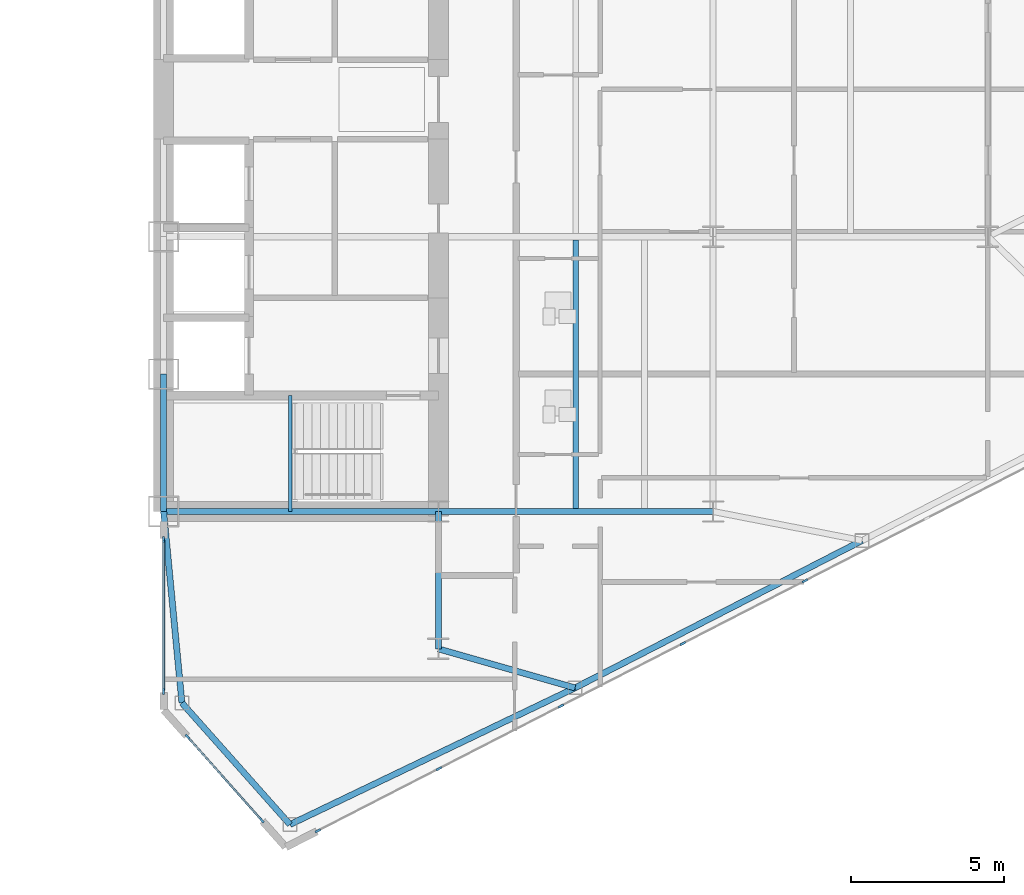
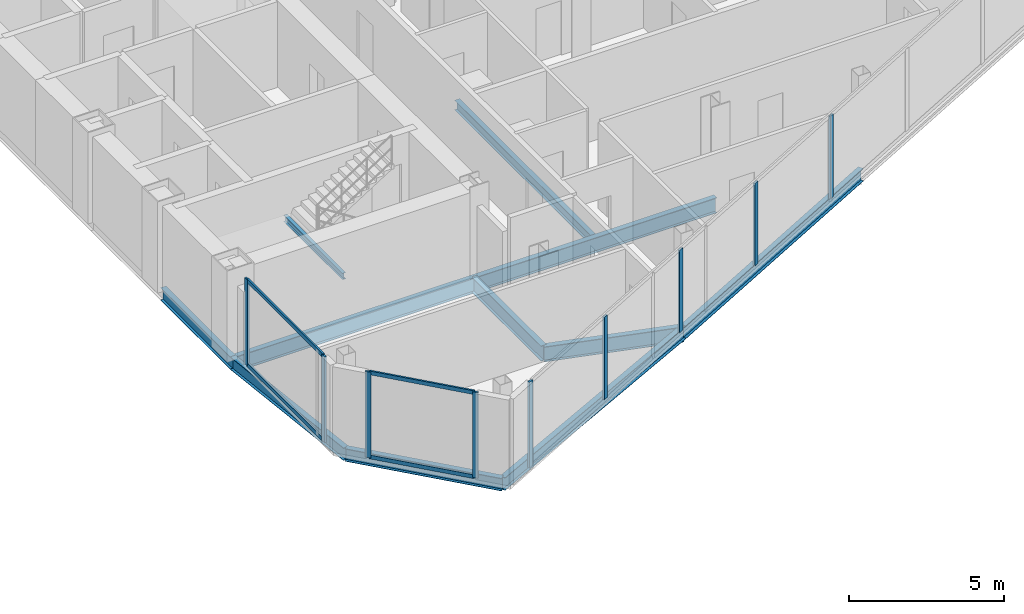
# One storey, part 8 of 23: 13 members, 11 beams, 3 elements without a shape of their own.
"""IFC4 building model written with IfcOpenShell, lengths in metres."""

from ifc_helpers import new_model, si_unit, direction, frame, origin, origin_2d, place, context, subcontext, project, spatial, rectangle, i_section, extrude, source, transform, mapped, material, layer, layer_set, material_profile, profile_set, type_object, type_shapes, element, aggregate, save


model = new_model("IFC4")

# Units and contexts
model_context = context("Model", 3, precision=1e-05, world=origin(), true_north=direction((0.0, 1.0)))
body_context = subcontext(model_context, "Body", "Model", "MODEL_VIEW")
ifc_project = project(units=[si_unit("LENGTHUNIT", "METRE"), si_unit("AREAUNIT", "SQUARE_METRE"), si_unit("VOLUMEUNIT", "CUBIC_METRE"), si_unit("PLANEANGLEUNIT", "RADIAN"), si_unit("MASSUNIT", "GRAM", prefix="KILO")], contexts=[model_context])

# Site, building, storey
site_placement = place(None, origin())
site = spatial("IfcSite", under=ifc_project, at=site_placement, CompositionType="ELEMENT")
building_placement = place(site_placement, origin())
building = spatial("IfcBuilding", under=site, at=building_placement, Name="Seokmaru Belvedere", CompositionType="ELEMENT")
storey_placement = place(building_placement, frame((0.0, 0.0, 128.39990234375)))
storey = spatial("IfcBuildingStorey", under=building, at=storey_placement, Name="L34", CompositionType="ELEMENT", Elevation=128.39990234375)

# Beams
ifc_material_1 = material(Name="Steel SM355 (355 MPa)", Category="steel")
ifc_material_profile_1 = material_profile(ifc_material_1, i_section(OverallWidth=0.199951171875, OverallDepth=0.5, WebThickness=0.010009765625, FlangeThickness=0.01611328125, at=origin_2d()), Name="H-500x200x10x16")
ifc_profile_set_1 = profile_set([ifc_material_profile_1], Name="Steel SM355 (355 MPa)")
beam_type_1 = type_object("IfcBeamType", Name="Perimeter Spandrel Beam H-500", PredefinedType="SPANDREL", material=ifc_profile_set_1)
shared_shape_1 = source(origin(), body_context, "Body", "SweptSolid", [
    extrude(i_section(OverallWidth=0.199951171875, OverallDepth=0.5, WebThickness=0.010009765625, FlangeThickness=0.01611328125, at=origin_2d()), origin(), (0.0, 0.0, 1.0), 4.5),
])
beam_1_placement = place(storey_placement, frame((27.5, -13.5, -0.469970703125), z_axis=(0.0, 1.0, 0.0), x_axis=(-1.0, 0.0, 0.0)))
element("IfcBeam", 1, at=beam_1_placement, inside=storey, type_object=beam_type_1, Name="L34 E Portal Spine Spandrel 1", PredefinedType="SPANDREL", context=body_context, shape_type="MappedRepresentation", body=[
    mapped(shared_shape_1, transform((0.0, 0.0, 0.0), scale=1.0)),
])
ifc_material_profile_2 = material_profile(ifc_material_1, i_section(OverallWidth=0.199951171875, OverallDepth=0.60009765625, WebThickness=0.010986328125, FlangeThickness=0.01708984375, at=origin_2d()), Name="H-600x200x11x17")
ifc_profile_set_2 = profile_set([ifc_material_profile_2], Name="Steel SM355 (355 MPa)")
beam_type_2 = type_object("IfcBeamType", Name="Primary Floor Girder H-600", PredefinedType="BEAM", material=ifc_profile_set_2)
shared_shape_2 = source(origin(), body_context, "Body", "SweptSolid", [
    extrude(i_section(OverallWidth=0.199951171875, OverallDepth=0.60009765625, WebThickness=0.010986328125, FlangeThickness=0.01708984375, at=origin_2d()), origin(), (0.0, 0.0, 1.0), 9.0),
])
for number, where, z_axis, x_axis, name in (
    (2, (27.5, -13.5, -0.52001953125), (1.0, 0.0, 0.0), (0.0, 1.0, 0.0), "L34 E Core Tie Girder 1"),
    (3, (36.5, -13.5, -0.52001953125), (1.0, 0.0, 0.0), (0.0, 1.0, 0.0), "L34 E Wing Primary Girder 1"),
):
    element("IfcBeam", number, at=place(storey_placement, frame(where, z_axis=z_axis, x_axis=x_axis)), inside=storey, type_object=beam_type_2, Name=name, PredefinedType="BEAM", context=body_context, shape_type="MappedRepresentation", body=[
        mapped(shared_shape_2, transform((0.0, 0.0, 0.0), scale=1.0)),
    ])
ifc_material_profile_3 = material_profile(ifc_material_1, i_section(OverallWidth=0.18505859375, OverallDepth=0.389892578125, WebThickness=0.008056640625, FlangeThickness=0.011962890625, at=origin_2d()), Name="H-390x185x8x12")
ifc_profile_set_3 = profile_set([ifc_material_profile_3], Name="Steel SM355 (355 MPa)")
beam_type_3 = type_object("IfcBeamType", Name="Secondary Floor Joist H-350", PredefinedType="JOIST", material=ifc_profile_set_3)
shared_shape_3 = source(origin(), body_context, "Body", "SweptSolid", [
    extrude(i_section(OverallWidth=0.18505859375, OverallDepth=0.389892578125, WebThickness=0.008056640625, FlangeThickness=0.011962890625, at=origin_2d()), origin(), (0.0, 0.0, 1.0), 8.7900390625),
])
type_shapes(beam_type_3, [shared_shape_3])
beam_2_placement = place(storey_placement, frame((41.0, -13.39501953125, -0.414794921875), z_axis=(0.0, 1.0, 0.0), x_axis=(-1.0, 0.0, 0.0)))
element("IfcBeam", 4, at=beam_2_placement, inside=storey, type_object=beam_type_3, Name="L34 E Secondary Floor Joist 1", PredefinedType="JOIST", context=body_context, shape_type="MappedRepresentation", body=[
    mapped(shared_shape_3, transform((0.0, 0.0, 0.0), scale=1.0)),
])
shared_shape_4 = source(origin(), body_context, "Body", "SweptSolid", [
    extrude(i_section(OverallWidth=0.199951171875, OverallDepth=0.60009765625, WebThickness=0.010986328125, FlangeThickness=0.01708984375, at=origin_2d()), origin(), (0.0, 0.0, 1.0), 4.5),
])
beam_3_placement = place(storey_placement, frame((36.5, -18.0, -0.52001953125), z_axis=(0.0, 1.0, 0.0), x_axis=(-1.0, 0.0, 0.0)))
element("IfcBeam", 5, at=beam_3_placement, inside=storey, type_object=beam_type_2, Name="L34 E Core Shoulder Girder S", PredefinedType="BEAM", context=body_context, shape_type="MappedRepresentation", body=[
    mapped(shared_shape_4, transform((0.0, 0.0, 0.0), scale=1.0)),
])
shared_shape_5 = source(origin(), body_context, "Body", "SweptSolid", [
    extrude(i_section(OverallWidth=0.199951171875, OverallDepth=0.5, WebThickness=0.010009765625, FlangeThickness=0.01611328125, at=origin_2d()), origin(), (0.0, 0.0, 1.0), 10.353759765625),
])
beam_4_placement = place(storey_placement, frame((31.6396484375, -23.75390625, -0.469970703125), z_axis=(0.901713202822, 0.432334708134, 0.0), x_axis=(-0.432334708134, 0.901713202822, 0.0)))
element("IfcBeam", 6, at=beam_4_placement, inside=storey, type_object=beam_type_1, Name="L34 E Faceted Flank Spandrel S-1", PredefinedType="SPANDREL", context=body_context, shape_type="MappedRepresentation", body=[
    mapped(shared_shape_5, transform((0.0, 0.0, 0.0), scale=1.0)),
])
shared_shape_6 = source(origin(), body_context, "Body", "SweptSolid", [
    extrude(i_section(OverallWidth=0.199951171875, OverallDepth=0.5, WebThickness=0.010009765625, FlangeThickness=0.01611328125, at=origin_2d()), origin(), (0.0, 0.0, 1.0), 10.56689453125),
])
beam_5_placement = place(storey_placement, frame((40.975830078125, -19.277587890625, -0.469970703125), z_axis=(0.889701972758, 0.45654178305, 0.0), x_axis=(-0.45654178305, 0.889701972758, 0.0)))
element("IfcBeam", 7, at=beam_5_placement, inside=storey, type_object=beam_type_1, Name="L34 E Faceted Flank Spandrel S-2", PredefinedType="SPANDREL", context=body_context, shape_type="MappedRepresentation", body=[
    mapped(shared_shape_6, transform((0.0, 0.0, 0.0), scale=1.0)),
])
shared_shape_7 = source(origin(), body_context, "Body", "SweptSolid", [
    extrude(i_section(OverallWidth=0.199951171875, OverallDepth=0.5, WebThickness=0.010009765625, FlangeThickness=0.01611328125, at=origin_2d()), origin(), (0.0, 0.0, 1.0), 5.32763671875),
])
beam_6_placement = place(storey_placement, frame((31.6396484375, -23.75390625, -0.469970703125), z_axis=(-0.66436952742, 0.74740426212, 0.0), x_axis=(-0.74740426212, -0.66436952742, 0.0)))
element("IfcBeam", 8, at=beam_6_placement, inside=storey, type_object=beam_type_1, Name="L34 E Shoulder Chamfer Spandrel S", PredefinedType="SPANDREL", context=body_context, shape_type="MappedRepresentation", body=[
    mapped(shared_shape_7, transform((0.0, 0.0, 0.0), scale=1.0)),
])
shared_shape_8 = source(origin(), body_context, "Body", "SweptSolid", [
    extrude(i_section(OverallWidth=0.199951171875, OverallDepth=0.5, WebThickness=0.010009765625, FlangeThickness=0.01611328125, at=origin_2d()), origin(), (0.0, 0.0, 1.0), 6.300537109375),
])
type_shapes(beam_type_1, [shared_shape_1, shared_shape_5, shared_shape_6, shared_shape_7, shared_shape_8])
beam_7_placement = place(storey_placement, frame((28.10009765625, -19.77197265625, -0.469970703125), z_axis=(-0.095244287992, 0.995453929424, 0.0), x_axis=(-0.995453929424, -0.095244287992, 0.0)))
element("IfcBeam", 9, at=beam_7_placement, inside=storey, type_object=beam_type_1, Name="L34 E Shoulder Spine Spandrel S", PredefinedType="SPANDREL", context=body_context, shape_type="MappedRepresentation", body=[
    mapped(shared_shape_8, transform((0.0, 0.0, 0.0), scale=1.0)),
])
shared_shape_9 = source(origin(), body_context, "Body", "SweptSolid", [
    extrude(i_section(OverallWidth=0.199951171875, OverallDepth=0.60009765625, WebThickness=0.010986328125, FlangeThickness=0.01708984375, at=origin_2d()), origin(), (0.0, 0.0, 1.0), 4.654541015625),
])
type_shapes(beam_type_2, [shared_shape_2, shared_shape_4, shared_shape_9])
beam_8_placement = place(storey_placement, frame((40.975830078125, -19.277587890625, -0.52001953125), z_axis=(-0.961593192625, 0.274478654721, 0.0), x_axis=(-0.274478654721, -0.961593192625, 0.0)))
element("IfcBeam", 10, at=beam_8_placement, inside=storey, type_object=beam_type_2, Name="L34 E Flank Radial Floor Girder S-1", PredefinedType="BEAM", context=body_context, shape_type="MappedRepresentation", body=[
    mapped(shared_shape_9, transform((0.0, 0.0, 0.0), scale=1.0)),
])

# Curtain wall, member
ifc_material_2 = material(Name="Bronze Triple Insulating Glass", Category="glass")
ifc_layer = layer(ifc_material_2, 0.195068359375)
ifc_layer_set = layer_set([ifc_layer], Name="Bronze Triple Insulating Glass")
curtain_wall_type = type_object("IfcCurtainWallType", Name="Sky-Lobby and Mid-Rise Curtain Wall System CW-4", PredefinedType="NOTDEFINED", material=ifc_layer_set)
curtain_wall_1_placement = place(storey_placement, origin())
curtain_wall_1 = element("IfcCurtainWall", 11, at=curtain_wall_1_placement, inside=storey, type_object=curtain_wall_type, Name="L34 Curtain Wall EF1", PredefinedType="NOTDEFINED")
ifc_material_3 = material(Name="Anodised Bronze Aluminium", Category="aluminium")
ifc_material_profile_4 = material_profile(ifc_material_3, rectangle(XDim=0.070068359375, YDim=0.195068359375, at=origin_2d()), Name="CW-M-70x195")
ifc_profile_set_4 = profile_set([ifc_material_profile_4], Name="Anodised Bronze Aluminium")
member_type_1 = type_object("IfcMemberType", Name="Bronze Unitised Mullion 70x195", PredefinedType="MULLION", material=ifc_profile_set_4)
shared_shape_10 = source(origin(), body_context, "Body", "SweptSolid", [
    extrude(rectangle(XDim=0.070068359375, YDim=0.195068359375, at=origin_2d()), origin(), (0.0, 0.0, 1.0), 3.380126953125),
])
member_1_placement = place(storey_placement, frame((32.55419921875, -23.958984375, 0.0), z_axis=(0.0, 0.0, 1.0), x_axis=(-0.456554528263, 0.889695432562, 0.0)))
member_1 = element("IfcMember", 12, at=member_1_placement, type_object=member_type_1, Name="CW:L34:EF1 Mullion 1", PredefinedType="MULLION", context=body_context, shape_type="MappedRepresentation", body=[
    mapped(shared_shape_10, transform((0.0, 0.0, 0.0), scale=1.0)),
])

# Curtain wall, members
curtain_wall_2_placement = place(storey_placement, origin())
curtain_wall_2 = element("IfcCurtainWall", 13, at=curtain_wall_2_placement, inside=storey, type_object=curtain_wall_type, Name="L34 Curtain Wall ESP_1", PredefinedType="NOTDEFINED")
member_2_placement = place(storey_placement, frame((27.5, -14.4150390625, 0.0), z_axis=(0.0, 0.0, 1.0), x_axis=(1.0, 0.0, 0.0)))
member_2 = element("IfcMember", 14, at=member_2_placement, type_object=member_type_1, Name="CW:L34:ESP_1 Mullion 1", PredefinedType="MULLION", context=body_context, shape_type="MappedRepresentation", body=[
    mapped(shared_shape_10, transform((0.0, 0.0, 0.0), scale=1.0)),
])
member_3_placement = place(storey_placement, frame((27.5, -19.39501953125, 0.0), z_axis=(0.0, 0.0, 1.0), x_axis=(1.0, 0.0, 0.0)))
member_3 = element("IfcMember", 15, at=member_3_placement, type_object=member_type_1, Name="CW:L34:ESP_1 Mullion 2", PredefinedType="MULLION", context=body_context, shape_type="MappedRepresentation", body=[
    mapped(shared_shape_10, transform((0.0, 0.0, 0.0), scale=1.0)),
])

curtain_wall_3_placement = place(storey_placement, origin())
curtain_wall_3 = element("IfcCurtainWall", 16, at=curtain_wall_3_placement, inside=storey, type_object=curtain_wall_type, Name="L34 Curtain Wall EF6", PredefinedType="NOTDEFINED")
member_4_placement = place(storey_placement, frame((28.287353515625, -20.8857421875, 0.0), z_axis=(0.0, 0.0, 1.0), x_axis=(0.747409774804, 0.664363325694, 0.0)))
member_4 = element("IfcMember", 17, at=member_4_placement, type_object=member_type_1, Name="CW:L34:EF6 Mullion 1", PredefinedType="MULLION", context=body_context, shape_type="MappedRepresentation", body=[
    mapped(shared_shape_10, transform((0.0, 0.0, 0.0), scale=1.0)),
])
member_5_placement = place(storey_placement, frame((30.712646484375, -23.6142578125, 0.0), z_axis=(0.0, 0.0, 1.0), x_axis=(0.747409774804, 0.664363325694, 0.0)))
member_5 = element("IfcMember", 18, at=member_5_placement, type_object=member_type_1, Name="CW:L34:EF6 Mullion 2", PredefinedType="MULLION", context=body_context, shape_type="MappedRepresentation", body=[
    mapped(shared_shape_10, transform((0.0, 0.0, 0.0), scale=1.0)),
])

# Member
ifc_material_profile_5 = material_profile(ifc_material_3, rectangle(XDim=0.06494140625, YDim=0.14990234375, at=origin_2d()), Name="CW-T-65x150")
ifc_profile_set_5 = profile_set([ifc_material_profile_5], Name="Anodised Bronze Aluminium")
member_type_2 = type_object("IfcMemberType", Name="Bronze Unitised Transom 65x150", PredefinedType="USERDEFINED", material=ifc_profile_set_5)
shared_shape_11 = source(origin(), body_context, "Body", "SweptSolid", [
    extrude(rectangle(XDim=0.06494140625, YDim=0.14990234375, at=origin_2d()), origin(), (0.0, 0.0, 1.0), 4.91015625),
])
member_6_placement = place(storey_placement, frame((27.5, -14.449951171875, 0.03271484375), z_axis=(0.0, -1.0, 0.0), x_axis=(1.0, 0.0, 0.0)))
member_6 = element("IfcMember", 19, at=member_6_placement, type_object=member_type_2, Name="CW:L34:ESP_1 Continuous Transom 1", ObjectType="TRANSOM", PredefinedType="USERDEFINED", context=body_context, shape_type="MappedRepresentation", body=[
    mapped(shared_shape_11, transform((0.0, 0.0, 0.0), scale=1.0)),
])

member_7_placement = place(storey_placement, frame((27.5, -14.449951171875, 3.34765625), z_axis=(0.0, -1.0, 0.0), x_axis=(1.0, 0.0, 0.0)))
member_7 = element("IfcMember", 20, at=member_7_placement, type_object=member_type_2, Name="CW:L34:ESP_1 Continuous Transom 2", ObjectType="TRANSOM", PredefinedType="USERDEFINED", context=body_context, shape_type="MappedRepresentation", body=[
    mapped(shared_shape_11, transform((0.0, 0.0, 0.0), scale=1.0)),
])

aggregate(curtain_wall_2, [member_2, member_3, member_6, member_7])

shared_shape_12 = source(origin(), body_context, "Body", "SweptSolid", [
    extrude(rectangle(XDim=0.06494140625, YDim=0.14990234375, at=origin_2d()), origin(), (0.0, 0.0, 1.0), 3.580810546875),
])
type_shapes(member_type_2, [shared_shape_11, shared_shape_12])
member_8_placement = place(storey_placement, frame((28.310546875, -20.911865234375, 0.03271484375), z_axis=(0.66436383883, -0.747409318684, 0.0), x_axis=(0.747409318684, 0.66436383883, 0.0)))
member_8 = element("IfcMember", 21, at=member_8_placement, type_object=member_type_2, Name="CW:L34:EF6 Continuous Transom 1", ObjectType="TRANSOM", PredefinedType="USERDEFINED", context=body_context, shape_type="MappedRepresentation", body=[
    mapped(shared_shape_12, transform((0.0, 0.0, 0.0), scale=1.0)),
])

member_9_placement = place(storey_placement, frame((28.310546875, -20.911865234375, 3.34765625), z_axis=(0.66436383883, -0.747409318684, 0.0), x_axis=(0.747409318684, 0.66436383883, 0.0)))
member_9 = element("IfcMember", 22, at=member_9_placement, type_object=member_type_2, Name="CW:L34:EF6 Continuous Transom 2", ObjectType="TRANSOM", PredefinedType="USERDEFINED", context=body_context, shape_type="MappedRepresentation", body=[
    mapped(shared_shape_12, transform((0.0, 0.0, 0.0), scale=1.0)),
])

aggregate(curtain_wall_3, [member_4, member_5, member_8, member_9])

shared_shape_13 = source(origin(), body_context, "Body", "SweptSolid", [
    extrude(rectangle(XDim=0.070068359375, YDim=0.195068359375, at=origin_2d()), origin(), (0.0, 0.0, 1.0), 3.25),
])
type_shapes(member_type_1, [shared_shape_10, shared_shape_13])
member_10_placement = place(storey_placement, frame((36.51806640625, -21.925048828125, 0.065185546875), z_axis=(0.0, 0.0, 1.0), x_axis=(-0.456554528263, 0.889695432562, 0.0)))
member_10 = element("IfcMember", 23, at=member_10_placement, type_object=member_type_1, Name="CW:L34:EF1 Mullion 2", PredefinedType="MULLION", context=body_context, shape_type="MappedRepresentation", body=[
    mapped(shared_shape_13, transform((0.0, 0.0, 0.0), scale=1.0)),
])

member_11_placement = place(storey_placement, frame((40.5126953125, -19.875, 0.065185546875), z_axis=(0.0, 0.0, 1.0), x_axis=(-0.456554528263, 0.889695432562, 0.0)))
member_11 = element("IfcMember", 24, at=member_11_placement, type_object=member_type_1, Name="CW:L34:EF1 Mullion 3", PredefinedType="MULLION", context=body_context, shape_type="MappedRepresentation", body=[
    mapped(shared_shape_13, transform((0.0, 0.0, 0.0), scale=1.0)),
])

member_12_placement = place(storey_placement, frame((44.5078125, -17.824951171875, 0.065185546875), z_axis=(0.0, 0.0, 1.0), x_axis=(-0.456554528263, 0.889695432562, 0.0)))
member_12 = element("IfcMember", 25, at=member_12_placement, type_object=member_type_1, Name="CW:L34:EF1 Mullion 4", PredefinedType="MULLION", context=body_context, shape_type="MappedRepresentation", body=[
    mapped(shared_shape_13, transform((0.0, 0.0, 0.0), scale=1.0)),
])

member_13_placement = place(storey_placement, frame((48.502685546875, -15.77490234375, 0.065185546875), z_axis=(0.0, 0.0, 1.0), x_axis=(-0.456554528263, 0.889695432562, 0.0)))
member_13 = element("IfcMember", 26, at=member_13_placement, type_object=member_type_1, Name="CW:L34:EF1 Mullion 5", PredefinedType="MULLION", context=body_context, shape_type="MappedRepresentation", body=[
    mapped(shared_shape_13, transform((0.0, 0.0, 0.0), scale=1.0)),
])

aggregate(curtain_wall_1, [member_1, member_10, member_11, member_12, member_13])

# Beam
ifc_material_profile_6 = material_profile(ifc_material_1, i_section(OverallWidth=0.125, OverallDepth=0.25, WebThickness=0.006103515625, FlangeThickness=0.009033203125, at=origin_2d()), Name="H-250x125x6x9")
ifc_profile_set_6 = profile_set([ifc_material_profile_6], Name="Steel SM355 (355 MPa)")
beam_type_4 = type_object("IfcBeamType", Name="Stair Mid-Landing Support Beam H-250", PredefinedType="JOIST", material=ifc_profile_set_6)
shared_shape_14 = source(origin(), body_context, "Body", "SweptSolid", [
    extrude(i_section(OverallWidth=0.125, OverallDepth=0.25, WebThickness=0.006103515625, FlangeThickness=0.009033203125, at=origin_2d()), origin(), (0.0, 0.0, 1.0), 3.800048828125),
])
type_shapes(beam_type_4, [shared_shape_14])
beam_9_placement = place(storey_placement, frame((31.64990234375, -13.5, 1.47509765625), z_axis=(0.0, 1.0, 0.0), x_axis=(-1.0, 0.0, 0.0)))
element("IfcBeam", 27, at=beam_9_placement, inside=storey, type_object=beam_type_4, Name="L34 Stair ST-E1 Mid-Landing Support Beam 1", PredefinedType="JOIST", context=body_context, shape_type="MappedRepresentation", body=[
    mapped(shared_shape_14, transform((0.0, 0.0, 0.0), scale=1.0)),
])

save(model, "model.ifc")
